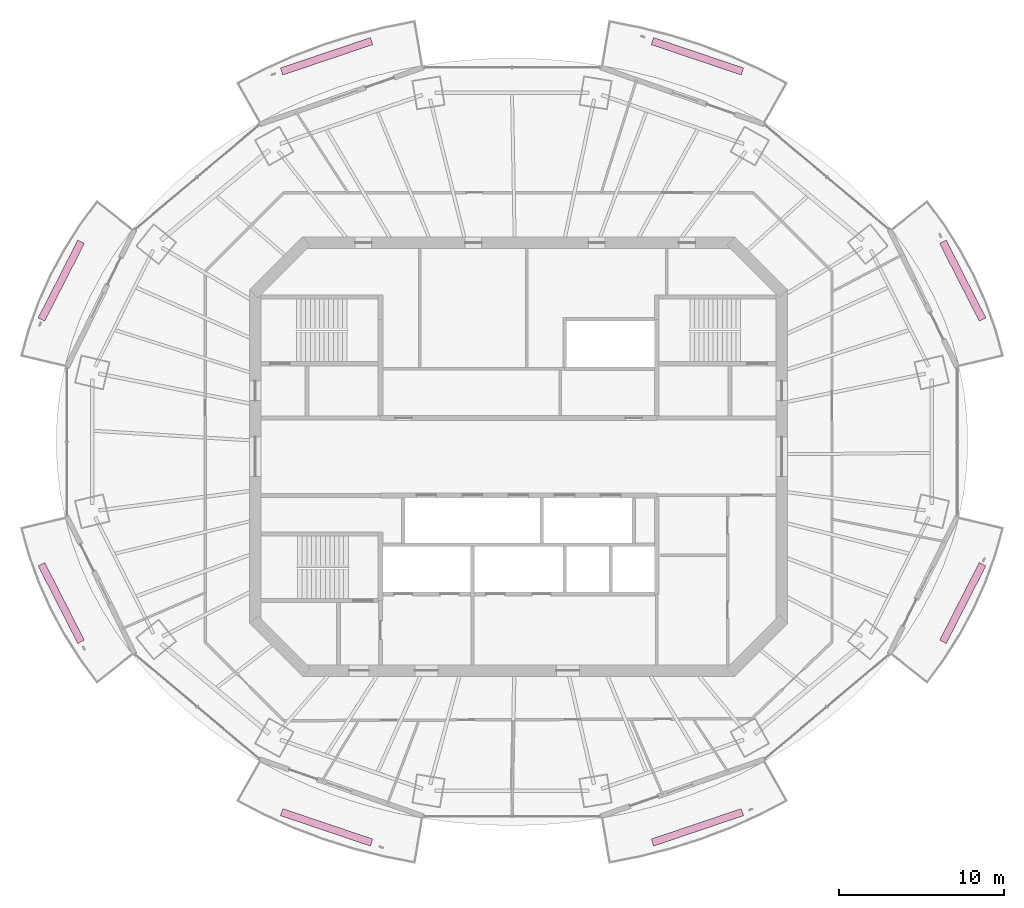
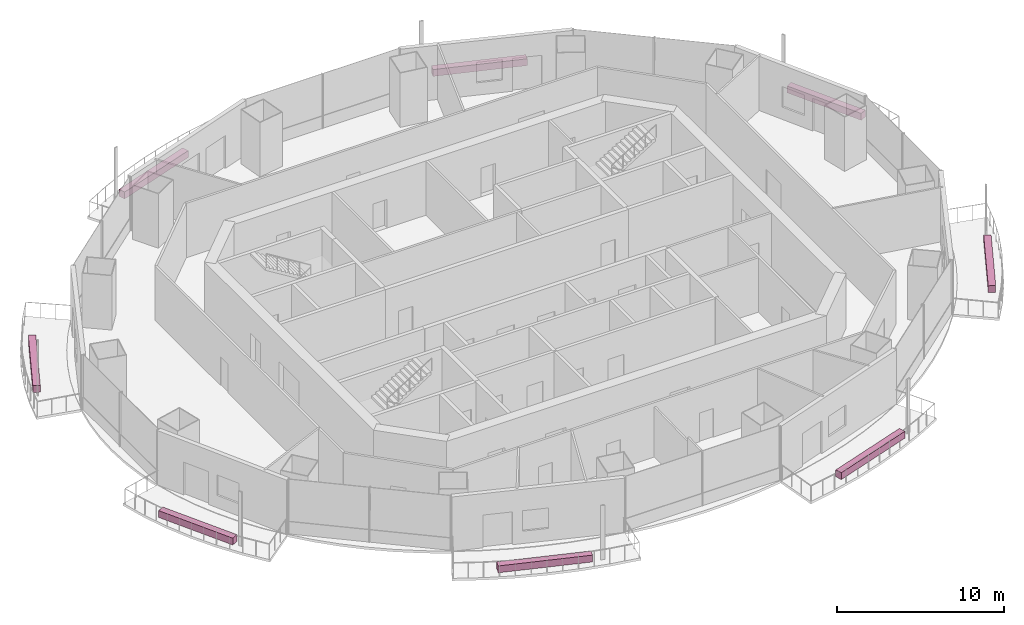
# One storey, part 16 of 16: 8 furnishings.
"""IFC4 building model written with IfcOpenShell, lengths in metres."""

from ifc_helpers import new_model, si_unit, direction, frame, origin, origin_2d, place, context, subcontext, project, spatial, rectangle, extrude, material, type_object, element, save


model = new_model("IFC4")

# Units and contexts
model_context = context("Model", 3, precision=1e-05, world=origin(), true_north=direction((0.0, 1.0)))
body_context = subcontext(model_context, "Body", "Model", "MODEL_VIEW")
ifc_project = project(units=[si_unit("LENGTHUNIT", "METRE"), si_unit("AREAUNIT", "SQUARE_METRE"), si_unit("VOLUMEUNIT", "CUBIC_METRE"), si_unit("PLANEANGLEUNIT", "RADIAN"), si_unit("MASSUNIT", "GRAM", prefix="KILO")], contexts=[model_context])

# Site, building, storey
site_placement = place(None, origin())
site = spatial("IfcSite", under=ifc_project, at=site_placement, CompositionType="ELEMENT")
building_placement = place(site_placement, origin())
building = spatial("IfcBuilding", under=site, at=building_placement, Name="Marenthal Gate Tower", CompositionType="ELEMENT")
storey_placement = place(building_placement, frame((0.0, 0.0, 326.0)))
storey = spatial("IfcBuildingStorey", under=building, at=storey_placement, Name="L73", CompositionType="ELEMENT", Elevation=326.0)

# Furnishings
ifc_material = material(Name="Planting soil and foliage", Category="planting")
furnishing_element_type = type_object("IfcFurnishingElementType", Name="Balcony PLANTER trough", material=ifc_material)
furnishing_1_placement = place(storey_placement, frame((26.997802734375, 10.697265625, -0.0400390625), z_axis=(0.0, 0.0, 1.0), x_axis=(-0.454443413742, 0.890775607943, 0.0)))
element("IfcFurnishingElement", 1, at=furnishing_1_placement, inside=storey, type_object=furnishing_element_type, Name="Balcony PLANTER L73 bay 1", ObjectType="PLANTER", context=body_context, shape_type="SweptSolid", body=[
    extrude(rectangle(XDim=5.29541015625, YDim=0.449951171875, at=origin_2d()), origin(), (0.0, 0.0, 1.0), 0.5),
])
for number, where, z_axis, x_axis, name in (
    (2, (10.869384765625, 24.33251953125, -0.0400390625), (0.0, 0.0, 1.0), (-0.947473106829, 0.319835444935, 0.0), "Balcony PLANTER L73 bay 3"),
    (3, (-11.669189453125, 24.33251953125, -0.0400390625), (0.0, 0.0, 1.0), (-0.947473106829, -0.319835444935, 0.0), "Balcony PLANTER L73 bay 5"),
):
    element("IfcFurnishingElement", number, at=place(storey_placement, frame(where, z_axis=z_axis, x_axis=x_axis)), inside=storey, type_object=furnishing_element_type, Name=name, ObjectType="PLANTER", context=body_context, shape_type="SweptSolid", body=[
        extrude(rectangle(XDim=5.7724609375, YDim=0.449951171875, at=origin_2d()), origin(), (0.0, 0.0, 1.0), 0.5),
    ])
for number, where, z_axis, x_axis, name in (
    (4, (-27.7978515625, 10.697265625, -0.0400390625), (0.0, 0.0, 1.0), (-0.454443413742, -0.890775607943, 0.0), "Balcony PLANTER L73 bay 7"),
    (5, (-27.7978515625, -8.897216796875, -0.0400390625), (0.0, 0.0, 1.0), (0.454443413742, -0.890775607943, 0.0), "Balcony PLANTER L73 bay 9"),
):
    element("IfcFurnishingElement", number, at=place(storey_placement, frame(where, z_axis=z_axis, x_axis=x_axis)), inside=storey, type_object=furnishing_element_type, Name=name, ObjectType="PLANTER", context=body_context, shape_type="SweptSolid", body=[
        extrude(rectangle(XDim=5.29541015625, YDim=0.449951171875, at=origin_2d()), origin(), (0.0, 0.0, 1.0), 0.5),
    ])
for number, where, z_axis, x_axis, name in (
    (6, (-11.669189453125, -22.532470703125, -0.0400390625), (0.0, 0.0, 1.0), (0.947473106829, -0.319835444935, 0.0), "Balcony PLANTER L73 bay 11"),
    (7, (10.869384765625, -22.532470703125, -0.0400390625), (0.0, 0.0, 1.0), (0.947473106829, 0.319835444935, 0.0), "Balcony PLANTER L73 bay 13"),
):
    element("IfcFurnishingElement", number, at=place(storey_placement, frame(where, z_axis=z_axis, x_axis=x_axis)), inside=storey, type_object=furnishing_element_type, Name=name, ObjectType="PLANTER", context=body_context, shape_type="SweptSolid", body=[
        extrude(rectangle(XDim=5.7724609375, YDim=0.449951171875, at=origin_2d()), origin(), (0.0, 0.0, 1.0), 0.5),
    ])
furnishing_2_placement = place(storey_placement, frame((26.997802734375, -8.897216796875, -0.0400390625), z_axis=(0.0, 0.0, 1.0), x_axis=(0.454443413742, 0.890775607943, 0.0)))
element("IfcFurnishingElement", 8, at=furnishing_2_placement, inside=storey, type_object=furnishing_element_type, Name="Balcony PLANTER L73 bay 15", ObjectType="PLANTER", context=body_context, shape_type="SweptSolid", body=[
    extrude(rectangle(XDim=5.29541015625, YDim=0.449951171875, at=origin_2d()), origin(), (0.0, 0.0, 1.0), 0.5),
])

save(model, "model.ifc")
